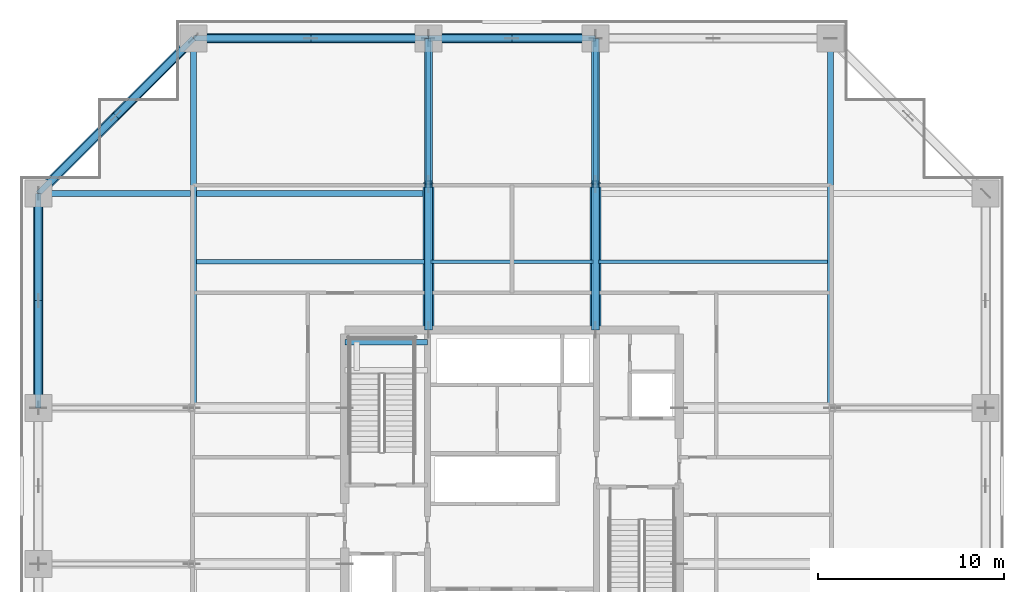
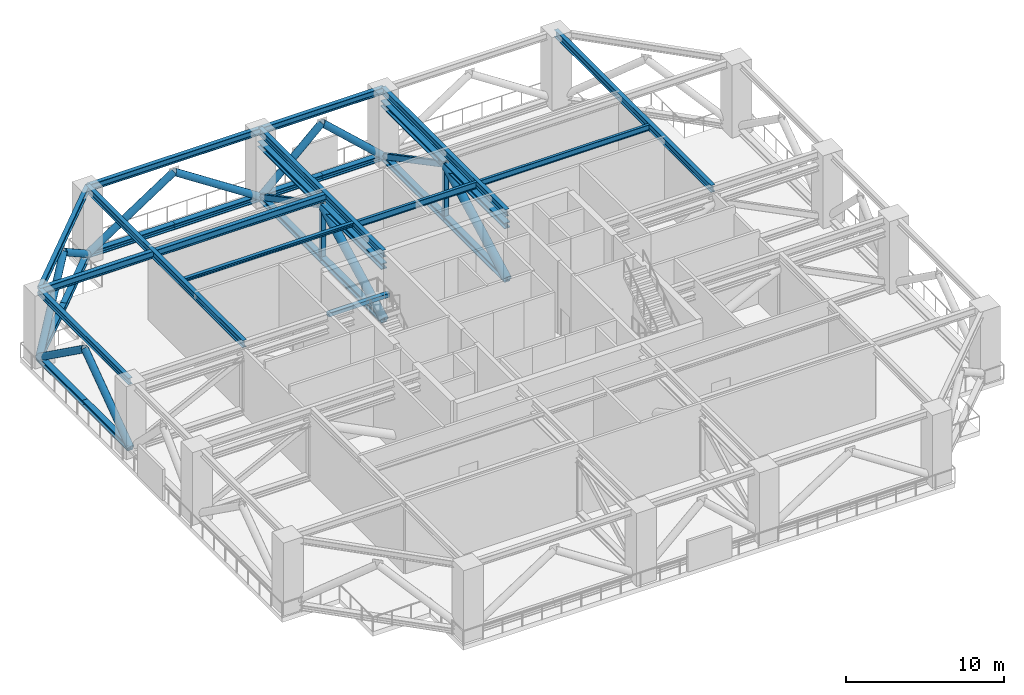
# One storey, part 4 of 21: 30 members, 13 beams.
"""IFC4 building model written with IfcOpenShell, lengths in metres."""

import ifcopenshell
import ifcopenshell.guid

model = None  # the IFC model being written
_history = None  # IfcOwnerHistory: only IFC2X3 demands one
_inside = {}  # id of a spatial element -> (the spatial element, [elements in it])
_under = {}  # id of a project, library or spatial element -> (it, [spatial elements below it])
_declared = {}  # id of a project -> (the project, [libraries it declares])
_typed = {}  # id of a type object -> (the type object, [elements of that type])
_made_of = {}  # id of a material, layer set ... -> (it, [elements and type objects made of it])


def new_model(schema):
    """Start an empty IFC model of exactly this schema.

    Asked for "IFC4X3", IfcOpenShell would pick the latest addendum, in which some entities
    have other attributes; the version numbers below select the first issue.
    IFC2X3 requires an IfcOwnerHistory on every rooted entity: one is made here for all.
    """
    global model, _history
    if schema == "IFC4X3":
        model = ifcopenshell.file(schema_version=(4, 3, 0, 0))
    else:
        model = ifcopenshell.file(schema=schema)
    _inside.clear()
    _under.clear()
    _declared.clear()
    _typed.clear()
    _made_of.clear()
    _history = None
    if model.schema == "IFC2X3":
        org = make("IfcOrganization", Name="unknown")
        user = make(
            "IfcPersonAndOrganization",
            ThePerson=make("IfcPerson", FamilyName="unknown"),
            TheOrganization=org,
        )
        app = make(
            "IfcApplication",
            ApplicationDeveloper=org,
            Version="unknown",
            ApplicationFullName="unknown",
            ApplicationIdentifier="unknown",
        )
        _history = make(
            "IfcOwnerHistory",
            OwningUser=user,
            OwningApplication=app,
            ChangeAction="ADDED",
            CreationDate=0,
        )
    return model


def make(cls, **values):
    """One entity of the class cls with the attributes given. An attribute that is None is left unset."""
    return model.create_entity(
        cls, **{name: value for name, value in values.items() if value is not None}
    )


def rooted(cls, **values):
    """An entity with a GlobalId (a new one), such as an element, a storey or a relation."""
    return make(cls, GlobalId=ifcopenshell.guid.new(), OwnerHistory=_history, **values)


def si_unit(unit_type, name, prefix=None):
    """IfcSIUnit, for example si_unit("LENGTHUNIT", "METRE", prefix="MILLI")."""
    return make("IfcSIUnit", UnitType=unit_type, Prefix=prefix, Name=name)


def assignment(units):
    """IfcUnitAssignment: the units of a project."""
    return None if units is None else make("IfcUnitAssignment", Units=units)


def point(xyz):
    """IfcCartesianPoint."""
    return None if xyz is None else make("IfcCartesianPoint", Coordinates=xyz)


def direction(xyz):
    """IfcDirection."""
    return None if xyz is None else make("IfcDirection", DirectionRatios=xyz)


def frame(location, z_axis=None, x_axis=None):
    """IfcAxis2Placement3D, a coordinate frame: its origin and axes. An axis left out is left unset."""
    return make(
        "IfcAxis2Placement3D",
        Location=point(location),
        Axis=direction(z_axis),
        RefDirection=direction(x_axis),
    )


def frame_2d(location, x_axis=None):
    """IfcAxis2Placement2D, a coordinate frame in the plane: its origin and x axis."""
    return make(
        "IfcAxis2Placement2D", Location=point(location), RefDirection=direction(x_axis)
    )


def origin():
    """The frame at (0, 0, 0) with its axes left unset."""
    return frame((0.0, 0.0, 0.0))


def origin_2d():
    """The frame at (0, 0) in the plane with its x axis left unset."""
    return frame_2d((0.0, 0.0))


def place(relative_to, where):
    """IfcLocalPlacement: puts the frame where relative to a parent placement (None: the world)."""
    return make(
        "IfcLocalPlacement", PlacementRelTo=relative_to, RelativePlacement=where
    )


def context(
    kind, dimensions, precision=None, world=None, true_north=None, identifier=None
):
    """IfcGeometricRepresentationContext, for example the 3D "Model" context."""
    return make(
        "IfcGeometricRepresentationContext",
        ContextIdentifier=identifier,
        ContextType=kind,
        CoordinateSpaceDimension=dimensions,
        Precision=precision,
        WorldCoordinateSystem=world,
        TrueNorth=true_north,
    )


def subcontext(parent, identifier, kind, view, scale=None):
    """IfcGeometricRepresentationSubContext, for example "Body" below "Model"."""
    return make(
        "IfcGeometricRepresentationSubContext",
        ContextIdentifier=identifier,
        ContextType=kind,
        ParentContext=parent,
        TargetScale=scale,
        TargetView=view,
    )


def project(units=None, contexts=None):
    """IfcProject with its units and contexts."""
    return rooted(
        "IfcProject",
        Name="project",
        RepresentationContexts=contexts,
        UnitsInContext=assignment(units),
    )


def spatial(cls, under=None, at=None, **own):
    """A site, building, storey or space (cls), placed at a placement, below another one or the project."""
    s = rooted(cls, ObjectPlacement=at, **own)
    if under is not None:
        _under.setdefault(under.id(), (under, []))[1].append(s)
    return s


def profile(cls, at=None, kind="AREA", **sizes):
    """A parametric profile (cls). Its sizes go by their IFC names, for example OverallWidth=200.0."""
    return make(cls, ProfileType=kind, Position=at, **sizes)


def rectangle(**sizes):
    """IfcRectangleProfileDef."""
    return profile("IfcRectangleProfileDef", **sizes)


def hollow_rectangle(**sizes):
    """IfcRectangleHollowProfileDef."""
    return profile("IfcRectangleHollowProfileDef", **sizes)


def hollow_circle(**sizes):
    """IfcCircleHollowProfileDef."""
    return profile("IfcCircleHollowProfileDef", **sizes)


def i_section(**sizes):
    """IfcIShapeProfileDef."""
    return profile("IfcIShapeProfileDef", **sizes)


def extrude(swept, where, along, depth):
    """IfcExtrudedAreaSolid: the profile swept, set in the frame where, extruded along a direction by depth."""
    return make(
        "IfcExtrudedAreaSolid",
        SweptArea=swept,
        Position=where,
        ExtrudedDirection=direction(along),
        Depth=depth,
    )


def shape(context_of_items, identifier, shape_type, items):
    """IfcShapeRepresentation: the items that make up one representation, for example the "Body"."""
    return make(
        "IfcShapeRepresentation",
        ContextOfItems=context_of_items,
        RepresentationIdentifier=identifier,
        RepresentationType=shape_type,
        Items=items,
    )


def source(mapping_origin, context_of_items, identifier, shape_type, items):
    """IfcRepresentationMap: a shape defined once, which mapped items show again and again."""
    return make(
        "IfcRepresentationMap",
        MappingOrigin=mapping_origin,
        MappedRepresentation=shape(context_of_items, identifier, shape_type, items),
    )


def transform(
    local_origin,
    x_axis=None,
    y_axis=None,
    z_axis=None,
    scale=None,
    scale2=None,
    scale3=None,
    uniform=True,
):
    """IfcCartesianTransformationOperator3D, or its non-uniform kind. x_axis, y_axis, z_axis: its Axis1, 2, 3."""
    if uniform:
        return make(
            "IfcCartesianTransformationOperator3D",
            Axis1=direction(x_axis),
            Axis2=direction(y_axis),
            LocalOrigin=point(local_origin),
            Scale=scale,
            Axis3=direction(z_axis),
        )
    return make(
        "IfcCartesianTransformationOperator3DnonUniform",
        Axis1=direction(x_axis),
        Axis2=direction(y_axis),
        LocalOrigin=point(local_origin),
        Scale=scale,
        Axis3=direction(z_axis),
        Scale2=scale2,
        Scale3=scale3,
    )


def mapped(mapping_source, mapping_target):
    """IfcMappedItem: shows the shape of a source again, moved by a transform."""
    return make(
        "IfcMappedItem", MappingSource=mapping_source, MappingTarget=mapping_target
    )


def material(Name=None, Category=None):
    """IfcMaterial."""
    return make("IfcMaterial", Name=Name, Category=Category)


def material_profile(
    of_material, cross_section, Name=None, Category=None, Priority=None
):
    """IfcMaterialProfile: a cross section and its material."""
    return make(
        "IfcMaterialProfile",
        Name=Name,
        Material=of_material,
        Profile=cross_section,
        Priority=Priority,
        Category=Category,
    )


def profile_set(profiles, Name=None, composite=None):
    """IfcMaterialProfileSet."""
    return make(
        "IfcMaterialProfileSet",
        Name=Name,
        MaterialProfiles=profiles,
        CompositeProfile=composite,
    )


def made_of(thing, what):
    """Note that an element or type object is made of a material, layer set ...; save() writes the relation."""
    if what is not None:
        _made_of.setdefault(what.id(), (what, []))[1].append(thing)
    return thing


def type_object(cls, material=None, **own):
    """A type object (cls), such as IfcWallType, which elements share."""
    return made_of(rooted(cls, **own), material)


def element(
    cls,
    number,
    at=None,
    inside=None,
    cuts=None,
    type_object=None,
    material=None,
    context=None,
    identifier="Body",
    shape_type=None,
    held_by="IfcProductDefinitionShape",
    body=None,
    shapes=None,
    **own,
):
    """One element of the class cls, such as IfcWall. Its Tag is "e" and its number.

    at: its placement. inside: the storey or other place that contains it. cuts: it is an
    opening in that element (IfcRelVoidsElement). A single representation is given by context,
    identifier, shape_type and body (its items); several are given by shapes. held_by: the class
    of the entity that holds the representations. save() writes the other relations.
    """
    e = rooted(cls, Tag="e%d" % number, ObjectPlacement=at, **own)
    if body is not None:
        shapes = [shape(context, identifier, shape_type, body)]
    if shapes is not None:
        e.Representation = make(held_by, Representations=shapes)
    if inside is not None:
        _inside.setdefault(inside.id(), (inside, []))[1].append(e)
    if cuts is not None:
        rooted(
            "IfcRelVoidsElement", RelatingBuildingElement=cuts, RelatedOpeningElement=e
        )
    if type_object is not None:
        _typed.setdefault(type_object.id(), (type_object, []))[1].append(e)
    return made_of(e, material)


def aggregate(whole, parts):
    """IfcRelAggregates: a whole, such as a stair, and the parts it consists of."""
    return rooted("IfcRelAggregates", RelatingObject=whole, RelatedObjects=parts)


def save(model, path):
    """Write the relations noted so far, then the file.

    IfcRelAggregates (storeys below a building ...), IfcRelContainedInSpatialStructure (elements
    in a storey), IfcRelDefinesByType, IfcRelAssociatesMaterial and IfcRelDeclares: one each for
    every whole, place, type object, material and project.
    """
    for whole, parts in _under.values():
        aggregate(whole, parts)
    for where, things in _inside.values():
        rooted(
            "IfcRelContainedInSpatialStructure",
            RelatedElements=things,
            RelatingStructure=where,
        )
    for kind, things in _typed.values():
        rooted("IfcRelDefinesByType", RelatedObjects=things, RelatingType=kind)
    for what, things in _made_of.values():
        rooted("IfcRelAssociatesMaterial", RelatedObjects=things, RelatingMaterial=what)
    for by, libraries in _declared.values():
        rooted("IfcRelDeclares", RelatingContext=by, RelatedDefinitions=libraries)
    model.write(path)


model = new_model("IFC4")

# Units and contexts
model_context = context("Model", 3, precision=1e-05, world=origin(), true_north=direction((0.0, 1.0)))
body_context = subcontext(model_context, "Body", "Model", "MODEL_VIEW")
ifc_project = project(units=[si_unit("LENGTHUNIT", "METRE"), si_unit("AREAUNIT", "SQUARE_METRE"), si_unit("VOLUMEUNIT", "CUBIC_METRE"), si_unit("PLANEANGLEUNIT", "RADIAN"), si_unit("MASSUNIT", "GRAM", prefix="KILO")], contexts=[model_context])

# Site, building, storey
site_placement = place(None, origin())
site = spatial("IfcSite", under=ifc_project, at=site_placement, CompositionType="ELEMENT")
building_placement = place(site_placement, origin())
building = spatial("IfcBuilding", under=site, at=building_placement, Name="Serunith Strait Residences", CompositionType="ELEMENT")
storey_placement = place(building_placement, frame((0.0, 0.0, 109.199951171875)))
storey = spatial("IfcBuildingStorey", under=building, at=storey_placement, Name="L27", CompositionType="ELEMENT", Elevation=109.199951171875)

# Beams
ifc_material_1 = material(Name="Steel S355J2", Category="steel")
ifc_material_profile_1 = material_profile(ifc_material_1, i_section(OverallWidth=0.300048828125, OverallDepth=0.550048828125, WebThickness=0.014892578125, FlangeThickness=0.029052734375, FilletRadius=0.027099609375, at=origin_2d()), Name="HEB 550")
ifc_profile_set_1 = profile_set([ifc_material_profile_1], Name="Steel S355J2")
beam_type_1 = type_object("IfcBeamType", Name="BM-HEB550", PredefinedType="BEAM", material=ifc_profile_set_1)
shared_shape_1 = source(origin(), body_context, "Body", "SweptSolid", [
    extrude(i_section(OverallWidth=0.300048828125, OverallDepth=0.550048828125, WebThickness=0.014892578125, FlangeThickness=0.029052734375, FilletRadius=0.027099609375, at=origin_2d()), origin(), (0.0, 0.0, 1.0), 15.699951171875),
])
for number, where, z_axis, x_axis, name in (
    (1, (27.89990234375, 33.60009765625, 5.362060546875), (0.0, 1.0, 0.0), (-1.0, 0.0, 0.0), "L27 Primary Floor Girder TC-N2"),
    (2, (36.89990234375, 33.60009765625, 5.362060546875), (0.0, 1.0, 0.0), (-1.0, 0.0, 0.0), "L27 Primary Floor Girder TC-N3"),
):
    element("IfcBeam", number, at=place(storey_placement, frame(where, z_axis=z_axis, x_axis=x_axis)), inside=storey, type_object=beam_type_1, Name=name, PredefinedType="BEAM", context=body_context, shape_type="MappedRepresentation", body=[
        mapped(shared_shape_1, transform((0.0, 0.0, 0.0), scale=1.0)),
    ])
shared_shape_2 = source(origin(), body_context, "Body", "SweptSolid", [
    extrude(i_section(OverallWidth=0.300048828125, OverallDepth=0.550048828125, WebThickness=0.014892578125, FlangeThickness=0.029052734375, FilletRadius=0.027099609375, at=origin_2d()), origin(), (0.0, 0.0, 1.0), 19.900146484375),
])
for number, where, z_axis, x_axis, name in (
    (3, (15.25, 29.39990234375, 5.362060546875), (0.0, 1.0, 0.0), (-1.0, 0.0, 0.0), "L27 Orthogonal Corner Girder TC-N1"),
    (4, (49.550048828125, 29.39990234375, 5.362060546875), (0.0, 1.0, 0.0), (-1.0, 0.0, 0.0), "L27 Orthogonal Corner Girder TC-N4"),
):
    element("IfcBeam", number, at=place(storey_placement, frame(where, z_axis=z_axis, x_axis=x_axis)), inside=storey, type_object=beam_type_1, Name=name, PredefinedType="BEAM", context=body_context, shape_type="MappedRepresentation", body=[
        mapped(shared_shape_2, transform((0.0, 0.0, 0.0), scale=1.0)),
    ])
shared_shape_3 = source(origin(), body_context, "Body", "SweptSolid", [
    extrude(i_section(OverallWidth=0.300048828125, OverallDepth=0.550048828125, WebThickness=0.014892578125, FlangeThickness=0.029052734375, FilletRadius=0.027099609375, at=origin_2d()), origin(), (0.0, 0.0, 1.0), 21.0),
])
beam_1_placement = place(storey_placement, frame((27.89990234375, 40.949951171875, 5.362060546875), z_axis=(-1.0, 0.0, 0.0), x_axis=(0.0, -1.0, 0.0)))
element("IfcBeam", 5, at=beam_1_placement, inside=storey, type_object=beam_type_1, Name="L27 Orthogonal Corner Girder TC-W4", PredefinedType="BEAM", context=body_context, shape_type="MappedRepresentation", body=[
    mapped(shared_shape_3, transform((0.0, 0.0, 0.0), scale=1.0)),
])
ifc_material_profile_2 = material_profile(ifc_material_1, i_section(OverallWidth=0.300048828125, OverallDepth=0.5, WebThickness=0.014404296875, FlangeThickness=0.028076171875, FilletRadius=0.027099609375, at=origin_2d()), Name="HEB 500")
ifc_profile_set_2 = profile_set([ifc_material_profile_2], Name="Steel S355J2")
beam_type_2 = type_object("IfcBeamType", Name="BM-HEB500", PredefinedType="BEAM", material=ifc_profile_set_2)
shared_shape_4 = source(origin(), body_context, "Body", "SweptSolid", [
    extrude(i_section(OverallWidth=0.300048828125, OverallDepth=0.5, WebThickness=0.014404296875, FlangeThickness=0.028076171875, FilletRadius=0.027099609375, at=origin_2d()), origin(), (0.0, 0.0, 1.0), 12.64990234375),
])
beam_2_placement = place(storey_placement, frame((27.89990234375, 49.300048828125, 5.386962890625), z_axis=(-1.0, 0.0, 0.0), x_axis=(0.0, -1.0, 0.0)))
element("IfcBeam", 6, at=beam_2_placement, inside=storey, type_object=beam_type_2, Name="L27 Perimeter Ring Beam 11", PredefinedType="BEAM", context=body_context, shape_type="MappedRepresentation", body=[
    mapped(shared_shape_4, transform((0.0, 0.0, 0.0), scale=1.0)),
])
shared_shape_5 = source(origin(), body_context, "Body", "SweptSolid", [
    extrude(i_section(OverallWidth=0.300048828125, OverallDepth=0.5, WebThickness=0.014404296875, FlangeThickness=0.028076171875, FilletRadius=0.027099609375, at=origin_2d()), origin(), (0.0, 0.0, 1.0), 9.0),
])
beam_3_placement = place(storey_placement, frame((36.89990234375, 49.300048828125, 5.386962890625), z_axis=(-1.0, 0.0, 0.0), x_axis=(0.0, -1.0, 0.0)))
element("IfcBeam", 7, at=beam_3_placement, inside=storey, type_object=beam_type_2, Name="L27 Perimeter Ring Beam 10", PredefinedType="BEAM", context=body_context, shape_type="MappedRepresentation", body=[
    mapped(shared_shape_5, transform((0.0, 0.0, 0.0), scale=1.0)),
])
shared_shape_6 = source(origin(), body_context, "Body", "SweptSolid", [
    extrude(i_section(OverallWidth=0.300048828125, OverallDepth=0.5, WebThickness=0.014404296875, FlangeThickness=0.028076171875, FilletRadius=0.027099609375, at=origin_2d()), origin(), (0.0, 0.0, 1.0), 11.550048828125),
])
beam_4_placement = place(storey_placement, frame((6.89990234375, 40.949951171875, 5.386962890625), z_axis=(0.0, -1.0, 0.0), x_axis=(1.0, 0.0, 0.0)))
element("IfcBeam", 8, at=beam_4_placement, inside=storey, type_object=beam_type_2, Name="L27 Perimeter Ring Beam 13", PredefinedType="BEAM", context=body_context, shape_type="MappedRepresentation", body=[
    mapped(shared_shape_6, transform((0.0, 0.0, 0.0), scale=1.0)),
])
shared_shape_7 = source(origin(), body_context, "Body", "SweptSolid", [
    extrude(i_section(OverallWidth=0.300048828125, OverallDepth=0.5, WebThickness=0.014404296875, FlangeThickness=0.028076171875, FilletRadius=0.027099609375, at=origin_2d()), origin(), (0.0, 0.0, 1.0), 11.808837890625),
])
beam_5_placement = place(storey_placement, frame((15.25, 49.300048828125, 5.386962890625), z_axis=(-0.707106781187, -0.707106781187, 0.0), x_axis=(0.707106781187, -0.707106781187, 0.0)))
element("IfcBeam", 9, at=beam_5_placement, inside=storey, type_object=beam_type_2, Name="L27 Perimeter Ring Beam 12", PredefinedType="BEAM", context=body_context, shape_type="MappedRepresentation", body=[
    mapped(shared_shape_7, transform((0.0, 0.0, 0.0), scale=1.0)),
])
ifc_material_profile_3 = material_profile(ifc_material_1, i_section(OverallWidth=0.260009765625, OverallDepth=0.260009765625, WebThickness=0.010009765625, FlangeThickness=0.017578125, FilletRadius=0.02392578125, at=origin_2d()), Name="HEB 260")
ifc_profile_set_3 = profile_set([ifc_material_profile_3], Name="Steel S355J2")
beam_type_3 = type_object("IfcBeamType", Name="BM-HEB260", PredefinedType="JOIST", material=ifc_profile_set_3)
shared_shape_8 = source(origin(), body_context, "Body", "SweptSolid", [
    extrude(i_section(OverallWidth=0.260009765625, OverallDepth=0.260009765625, WebThickness=0.010009765625, FlangeThickness=0.017578125, FilletRadius=0.02392578125, at=origin_2d()), origin(), (0.0, 0.0, 1.0), 12.35009765625),
])
beam_6_placement = place(storey_placement, frame((15.39990234375, 37.27490234375, 5.507080078125), z_axis=(1.0, 0.0, 0.0), x_axis=(0.0, 1.0, 0.0)))
element("IfcBeam", 10, at=beam_6_placement, inside=storey, type_object=beam_type_3, Name="L27 Composite Floor Joist 04", PredefinedType="JOIST", context=body_context, shape_type="MappedRepresentation", body=[
    mapped(shared_shape_8, transform((0.0, 0.0, 0.0), scale=1.0)),
])
ifc_material_profile_4 = material_profile(ifc_material_1, i_section(OverallWidth=0.199951171875, OverallDepth=0.5, WebThickness=0.01025390625, FlangeThickness=0.01611328125, FilletRadius=0.02099609375, at=origin_2d()), Name="IPE 500")
ifc_profile_set_4 = profile_set([ifc_material_profile_4], Name="Steel S355J2")
beam_type_4 = type_object("IfcBeamType", Name="BM-IPE500", PredefinedType="JOIST", material=ifc_profile_set_4)
shared_shape_9 = source(origin(), body_context, "Body", "SweptSolid", [
    extrude(i_section(OverallWidth=0.199951171875, OverallDepth=0.5, WebThickness=0.01025390625, FlangeThickness=0.01611328125, FilletRadius=0.02099609375, at=origin_2d()), origin(), (0.0, 0.0, 1.0), 8.699951171875),
])
beam_7_placement = place(storey_placement, frame((28.050048828125, 37.27490234375, 5.386962890625), z_axis=(1.0, 0.0, 0.0), x_axis=(0.0, 1.0, 0.0)))
element("IfcBeam", 11, at=beam_7_placement, inside=storey, type_object=beam_type_4, Name="L27 Composite Floor Joist 05", PredefinedType="JOIST", context=body_context, shape_type="MappedRepresentation", body=[
    mapped(shared_shape_9, transform((0.0, 0.0, 0.0), scale=1.0)),
])
ifc_material_profile_5 = material_profile(ifc_material_1, i_section(OverallWidth=0.18994140625, OverallDepth=0.449951171875, WebThickness=0.009521484375, FlangeThickness=0.0146484375, FilletRadius=0.02099609375, at=origin_2d()), Name="IPE 450")
ifc_profile_set_5 = profile_set([ifc_material_profile_5], Name="Steel S355J2")
beam_type_5 = type_object("IfcBeamType", Name="BM-IPE450", PredefinedType="JOIST", material=ifc_profile_set_5)
shared_shape_10 = source(origin(), body_context, "Body", "SweptSolid", [
    extrude(i_section(OverallWidth=0.18994140625, OverallDepth=0.449951171875, WebThickness=0.009521484375, FlangeThickness=0.0146484375, FilletRadius=0.02099609375, at=origin_2d()), origin(), (0.0, 0.0, 1.0), 12.349853515625),
])
beam_8_placement = place(storey_placement, frame((37.050048828125, 37.27490234375, 5.412109375), z_axis=(1.0, 0.0, 0.0), x_axis=(0.0, 1.0, 0.0)))
element("IfcBeam", 12, at=beam_8_placement, inside=storey, type_object=beam_type_5, Name="L27 Composite Floor Joist 06", PredefinedType="JOIST", context=body_context, shape_type="MappedRepresentation", body=[
    mapped(shared_shape_10, transform((0.0, 0.0, 0.0), scale=1.0)),
])

# Members
ifc_material_2 = material(Name="Steel S460M", Category="steel")
ifc_material_profile_6 = material_profile(ifc_material_2, i_section(OverallWidth=0.41796875, OverallDepth=0.455078125, WebThickness=0.0419921875, FlangeThickness=0.067626953125, FilletRadius=0.014892578125, at=origin_2d()), Name="HD 400x551")
ifc_profile_set_6 = profile_set([ifc_material_profile_6], Name="Steel S460M")
member_type_1 = type_object("IfcMemberType", Name="MBR-CHORD-HD551", PredefinedType="CHORD", material=ifc_profile_set_6)
shared_shape_11 = source(origin(), body_context, "Body", "SweptSolid", [
    extrude(i_section(OverallWidth=0.41796875, OverallDepth=0.455078125, WebThickness=0.0419921875, FlangeThickness=0.067626953125, FilletRadius=0.014892578125, at=origin_2d()), origin(), (0.0, 0.0, 1.0), 7.85009765625),
])
for number, where, z_axis, x_axis, name in (
    (13, (27.89990234375, 41.449951171875, 0.25), (0.0, 1.0, 0.0), (-1.0, 0.0, 0.0), "L27 Outrigger Arm 3 Bottom Chord 2"),
    (14, (27.89990234375, 41.449951171875, 4.39013671875), (0.0, 1.0, 0.0), (-1.0, 0.0, 0.0), "L27 Outrigger Arm 3 Top Chord 2"),
    (15, (36.89990234375, 41.449951171875, 0.25), (0.0, 1.0, 0.0), (-1.0, 0.0, 0.0), "L27 Outrigger Arm 4 Bottom Chord 2"),
    (16, (36.89990234375, 41.449951171875, 4.39013671875), (0.0, 1.0, 0.0), (-1.0, 0.0, 0.0), "L27 Outrigger Arm 4 Top Chord 2"),
):
    element("IfcMember", number, at=place(storey_placement, frame(where, z_axis=z_axis, x_axis=x_axis)), inside=storey, type_object=member_type_1, Name=name, PredefinedType="CHORD", context=body_context, shape_type="MappedRepresentation", body=[
        mapped(shared_shape_11, transform((0.0, 0.0, 0.0), scale=1.0)),
    ])
shared_shape_12 = source(origin(), body_context, "Body", "SweptSolid", [
    extrude(i_section(OverallWidth=0.41796875, OverallDepth=0.455078125, WebThickness=0.0419921875, FlangeThickness=0.067626953125, FilletRadius=0.014892578125, at=origin_2d()), origin(), (0.0, 0.0, 1.0), 7.849853515625),
])
for number, where, z_axis, x_axis, name in (
    (17, (27.89990234375, 33.60009765625, 0.25), (0.0, 1.0, 0.0), (-1.0, 0.0, 0.0), "L27 Outrigger Arm 3 Bottom Chord 1"),
    (18, (27.89990234375, 33.60009765625, 4.39013671875), (0.0, 1.0, 0.0), (-1.0, 0.0, 0.0), "L27 Outrigger Arm 3 Top Chord 1"),
    (19, (36.89990234375, 33.60009765625, 0.25), (0.0, 1.0, 0.0), (-1.0, 0.0, 0.0), "L27 Outrigger Arm 4 Bottom Chord 1"),
    (20, (36.89990234375, 33.60009765625, 4.39013671875), (0.0, 1.0, 0.0), (-1.0, 0.0, 0.0), "L27 Outrigger Arm 4 Top Chord 1"),
):
    element("IfcMember", number, at=place(storey_placement, frame(where, z_axis=z_axis, x_axis=x_axis)), inside=storey, type_object=member_type_1, Name=name, PredefinedType="CHORD", context=body_context, shape_type="MappedRepresentation", body=[
        mapped(shared_shape_12, transform((0.0, 0.0, 0.0), scale=1.0)),
    ])
ifc_material_profile_7 = material_profile(ifc_material_2, hollow_rectangle(XDim=0.35009765625, YDim=0.35009765625, WallThickness=0.01611328125, InnerFilletRadius=0.02392578125, OuterFilletRadius=0.0400390625, at=origin_2d()), Name="SHS 350x350x16")
ifc_profile_set_7 = profile_set([ifc_material_profile_7], Name="Steel S460M")
member_type_2 = type_object("IfcMemberType", Name="MBR-STRUT-SHS350", PredefinedType="STRUT", material=ifc_profile_set_7)
shared_shape_13 = source(origin(), body_context, "Body", "SweptSolid", [
    extrude(hollow_rectangle(XDim=0.35009765625, YDim=0.35009765625, WallThickness=0.01611328125, InnerFilletRadius=0.02392578125, OuterFilletRadius=0.0400390625, at=origin_2d()), origin(), (0.0, 0.0, 1.0), 4.14013671875),
])
for number, where, z_axis, x_axis, name in (
    (21, (27.89990234375, 41.449951171875, 0.25), (0.0, 0.0, 1.0), (1.0, 0.0, 0.0), "L27 Outrigger Arm 3 Mid Post"),
    (22, (36.89990234375, 41.449951171875, 0.25), (0.0, 0.0, 1.0), (1.0, 0.0, 0.0), "L27 Outrigger Arm 4 Mid Post"),
):
    element("IfcMember", number, at=place(storey_placement, frame(where, z_axis=z_axis, x_axis=x_axis)), inside=storey, type_object=member_type_2, Name=name, PredefinedType="STRUT", context=body_context, shape_type="MappedRepresentation", body=[
        mapped(shared_shape_13, transform((0.0, 0.0, 0.0), scale=1.0)),
    ])
ifc_material_profile_8 = material_profile(ifc_material_2, hollow_circle(Radius=0.304931640625, WallThickness=0.02490234375, at=origin_2d()), Name="CHS 610x25")
ifc_profile_set_8 = profile_set([ifc_material_profile_8], Name="Steel S460M")
member_type_3 = type_object("IfcMemberType", Name="MBR-DIAG-CHS610", PredefinedType="BRACE", material=ifc_profile_set_8)
shared_shape_14 = source(origin(), body_context, "Body", "SweptSolid", [
    extrude(hollow_circle(Radius=0.304931640625, WallThickness=0.02490234375, at=origin_2d()), origin(), (0.0, 0.0, 1.0), 8.874755859375),
])
for number, where, z_axis, x_axis, name in (
    (23, (27.89990234375, 33.60009765625, 0.25), (0.0, 0.884516886434, 0.466508175291), (-1.0, 0.0, 0.0), "L27 Outrigger Arm 3 Inner Diagonal"),
    (24, (36.89990234375, 33.60009765625, 0.25), (0.0, 0.884516886434, 0.466508175291), (-1.0, 0.0, 0.0), "L27 Outrigger Arm 4 Inner Diagonal"),
):
    element("IfcMember", number, at=place(storey_placement, frame(where, z_axis=z_axis, x_axis=x_axis)), inside=storey, type_object=member_type_3, Name=name, PredefinedType="BRACE", context=body_context, shape_type="MappedRepresentation", body=[
        mapped(shared_shape_14, transform((0.0, 0.0, 0.0), scale=1.0)),
    ])
ifc_material_profile_9 = material_profile(ifc_material_2, hollow_rectangle(XDim=0.25, YDim=0.449951171875, WallThickness=0.01611328125, InnerFilletRadius=0.02392578125, OuterFilletRadius=0.0400390625, at=origin_2d()), Name="RHS 450x250x16")
ifc_profile_set_9 = profile_set([ifc_material_profile_9], Name="Steel S460M")
member_type_4 = type_object("IfcMemberType", Name="MBR-BRACE-RHS450", PredefinedType="BRACE", material=ifc_profile_set_9)
shared_shape_15 = source(origin(), body_context, "Body", "SweptSolid", [
    extrude(hollow_rectangle(XDim=0.25, YDim=0.449951171875, WallThickness=0.01611328125, InnerFilletRadius=0.02392578125, OuterFilletRadius=0.0400390625, at=origin_2d()), origin(), (0.0, 0.0, 1.0), 8.875),
])
for number, where, z_axis, x_axis, name in (
    (25, (27.89990234375, 41.449951171875, 4.39013671875), (0.0, 0.884522873131, -0.466496824114), (-1.0, 0.0, 0.0), "L27 Outrigger Arm 3 Outer Diagonal"),
    (26, (36.89990234375, 41.449951171875, 4.39013671875), (0.0, 0.884522873131, -0.466496824114), (-1.0, 0.0, 0.0), "L27 Outrigger Arm 4 Outer Diagonal"),
):
    element("IfcMember", number, at=place(storey_placement, frame(where, z_axis=z_axis, x_axis=x_axis)), inside=storey, type_object=member_type_4, Name=name, PredefinedType="BRACE", context=body_context, shape_type="MappedRepresentation", body=[
        mapped(shared_shape_15, transform((0.0, 0.0, 0.0), scale=1.0)),
    ])
ifc_material_profile_10 = material_profile(ifc_material_2, i_section(OverallWidth=0.406005859375, OverallDepth=0.416015625, WebThickness=0.02978515625, FlangeThickness=0.048095703125, FilletRadius=0.014892578125, at=origin_2d()), Name="HD 400x382")
ifc_profile_set_10 = profile_set([ifc_material_profile_10], Name="Steel S460M")
member_type_5 = type_object("IfcMemberType", Name="MBR-CHORD-HD382", PredefinedType="CHORD", material=ifc_profile_set_10)
shared_shape_16 = source(origin(), body_context, "Body", "SweptSolid", [
    extrude(i_section(OverallWidth=0.406005859375, OverallDepth=0.416015625, WebThickness=0.02978515625, FlangeThickness=0.048095703125, FilletRadius=0.014892578125, at=origin_2d()), origin(), (0.0, 0.0, 1.0), 6.324951171875),
])
for number, where, z_axis, x_axis, name in (
    (27, (27.89990234375, 49.300048828125, 0.25), (-1.0, 0.0, 0.0), (0.0, -1.0, 0.0), "L27 Belt Truss Bay 11 Chord A"),
    (28, (21.574951171875, 49.300048828125, 0.25), (-1.0, 0.0, 0.0), (0.0, -1.0, 0.0), "L27 Belt Truss Bay 11 Chord B"),
):
    element("IfcMember", number, at=place(storey_placement, frame(where, z_axis=z_axis, x_axis=x_axis)), inside=storey, type_object=member_type_5, Name=name, PredefinedType="CHORD", context=body_context, shape_type="MappedRepresentation", body=[
        mapped(shared_shape_16, transform((0.0, 0.0, 0.0), scale=1.0)),
    ])
ifc_material_profile_11 = material_profile(ifc_material_2, hollow_circle(Radius=0.25390625, WallThickness=0.02001953125, at=origin_2d()), Name="CHS 508x20")
ifc_profile_set_11 = profile_set([ifc_material_profile_11], Name="Steel S460M")
member_type_6 = type_object("IfcMemberType", Name="MBR-DIAG-CHS508", PredefinedType="BRACE", material=ifc_profile_set_11)
shared_shape_17 = source(origin(), body_context, "Body", "SweptSolid", [
    extrude(hollow_circle(Radius=0.25390625, WallThickness=0.02001953125, at=origin_2d()), origin(), (0.0, 0.0, 1.0), 7.5595703125),
])
for number, where, z_axis, x_axis, name in (
    (29, (27.89990234375, 49.300048828125, 0.25), (-0.836691292063, 0.0, 0.547674795646), (0.0, -1.0, 0.0), "L27 Belt Truss Bay 11 Diagonal 1"),
    (30, (15.25, 49.300048828125, 0.25), (0.836691292063, 0.0, 0.547674795646), (0.0, 1.0, 0.0), "L27 Belt Truss Bay 11 Diagonal 2"),
):
    element("IfcMember", number, at=place(storey_placement, frame(where, z_axis=z_axis, x_axis=x_axis)), inside=storey, type_object=member_type_6, Name=name, PredefinedType="BRACE", context=body_context, shape_type="MappedRepresentation", body=[
        mapped(shared_shape_17, transform((0.0, 0.0, 0.0), scale=1.0)),
    ])
shared_shape_18 = source(origin(), body_context, "Body", "SweptSolid", [
    extrude(i_section(OverallWidth=0.406005859375, OverallDepth=0.416015625, WebThickness=0.02978515625, FlangeThickness=0.048095703125, FilletRadius=0.014892578125, at=origin_2d()), origin(), (0.0, 0.0, 1.0), 4.5),
])
for number, where, z_axis, x_axis, name in (
    (31, (36.89990234375, 49.300048828125, 0.25), (-1.0, 0.0, 0.0), (0.0, -1.0, 0.0), "L27 Belt Truss Bay 10 Chord A"),
    (32, (32.39990234375, 49.300048828125, 0.25), (-1.0, 0.0, 0.0), (0.0, -1.0, 0.0), "L27 Belt Truss Bay 10 Chord B"),
):
    element("IfcMember", number, at=place(storey_placement, frame(where, z_axis=z_axis, x_axis=x_axis)), inside=storey, type_object=member_type_5, Name=name, PredefinedType="CHORD", context=body_context, shape_type="MappedRepresentation", body=[
        mapped(shared_shape_18, transform((0.0, 0.0, 0.0), scale=1.0)),
    ])
shared_shape_19 = source(origin(), body_context, "Body", "SweptSolid", [
    extrude(hollow_circle(Radius=0.25390625, WallThickness=0.02001953125, at=origin_2d()), origin(), (0.0, 0.0, 1.0), 6.11474609375),
])
for number, where, z_axis, x_axis, name in (
    (33, (36.89990234375, 49.300048828125, 0.25), (-0.735919871074, 0.0, 0.677068640064), (0.0, -1.0, 0.0), "L27 Belt Truss Bay 10 Diagonal 1"),
    (34, (27.89990234375, 49.300048828125, 0.25), (0.735919871074, 0.0, 0.677068640064), (0.0, 1.0, 0.0), "L27 Belt Truss Bay 10 Diagonal 2"),
):
    element("IfcMember", number, at=place(storey_placement, frame(where, z_axis=z_axis, x_axis=x_axis)), inside=storey, type_object=member_type_6, Name=name, PredefinedType="BRACE", context=body_context, shape_type="MappedRepresentation", body=[
        mapped(shared_shape_19, transform((0.0, 0.0, 0.0), scale=1.0)),
    ])
shared_shape_20 = source(origin(), body_context, "Body", "SweptSolid", [
    extrude(i_section(OverallWidth=0.406005859375, OverallDepth=0.416015625, WebThickness=0.02978515625, FlangeThickness=0.048095703125, FilletRadius=0.014892578125, at=origin_2d()), origin(), (0.0, 0.0, 1.0), 5.904296875),
])
for number, where, z_axis, x_axis, name in (
    (35, (15.25, 49.300048828125, 0.25), (-0.707106781187, -0.707106781187, 0.0), (0.707106781187, -0.707106781187, 0.0), "L27 Belt Truss Bay 12 Chord A"),
    (36, (11.074951171875, 45.125, 0.25), (-0.707106781187, -0.707106781187, 0.0), (0.707106781187, -0.707106781187, 0.0), "L27 Belt Truss Bay 12 Chord B"),
):
    element("IfcMember", number, at=place(storey_placement, frame(where, z_axis=z_axis, x_axis=x_axis)), inside=storey, type_object=member_type_5, Name=name, PredefinedType="CHORD", context=body_context, shape_type="MappedRepresentation", body=[
        mapped(shared_shape_20, transform((0.0, 0.0, 0.0), scale=1.0)),
    ])
shared_shape_21 = source(origin(), body_context, "Body", "SweptSolid", [
    extrude(hollow_circle(Radius=0.25390625, WallThickness=0.02001953125, at=origin_2d()), origin(), (0.0, 0.0, 1.0), 7.211181640625),
])
for number, where, z_axis, x_axis, name in (
    (37, (15.25, 49.300048828125, 0.25), (-0.578959527894, -0.578959527894, 0.574118219638), (0.707106781187, -0.707106781187, 0.0), "L27 Belt Truss Bay 12 Diagonal 1"),
    (38, (6.89990234375, 40.949951171875, 0.25), (0.578959527894, 0.578959527894, 0.574118219638), (-0.707106781187, 0.707106781187, 0.0), "L27 Belt Truss Bay 12 Diagonal 2"),
):
    element("IfcMember", number, at=place(storey_placement, frame(where, z_axis=z_axis, x_axis=x_axis)), inside=storey, type_object=member_type_6, Name=name, PredefinedType="BRACE", context=body_context, shape_type="MappedRepresentation", body=[
        mapped(shared_shape_21, transform((0.0, 0.0, 0.0), scale=1.0)),
    ])
shared_shape_22 = source(origin(), body_context, "Body", "SweptSolid", [
    extrude(i_section(OverallWidth=0.406005859375, OverallDepth=0.416015625, WebThickness=0.02978515625, FlangeThickness=0.048095703125, FilletRadius=0.014892578125, at=origin_2d()), origin(), (0.0, 0.0, 1.0), 5.775146484375),
])
member_1_placement = place(storey_placement, frame((6.89990234375, 35.175048828125, 0.25), z_axis=(0.0, -1.0, 0.0), x_axis=(1.0, 0.0, 0.0)))
element("IfcMember", 39, at=member_1_placement, inside=storey, type_object=member_type_5, Name="L27 Belt Truss Bay 13 Chord B", PredefinedType="CHORD", context=body_context, shape_type="MappedRepresentation", body=[
    mapped(shared_shape_22, transform((0.0, 0.0, 0.0), scale=1.0)),
])
shared_shape_23 = source(origin(), body_context, "Body", "SweptSolid", [
    extrude(i_section(OverallWidth=0.406005859375, OverallDepth=0.416015625, WebThickness=0.02978515625, FlangeThickness=0.048095703125, FilletRadius=0.014892578125, at=origin_2d()), origin(), (0.0, 0.0, 1.0), 5.77490234375),
])
member_2_placement = place(storey_placement, frame((6.89990234375, 40.949951171875, 0.25), z_axis=(0.0, -1.0, 0.0), x_axis=(1.0, 0.0, 0.0)))
element("IfcMember", 40, at=member_2_placement, inside=storey, type_object=member_type_5, Name="L27 Belt Truss Bay 13 Chord A", PredefinedType="CHORD", context=body_context, shape_type="MappedRepresentation", body=[
    mapped(shared_shape_23, transform((0.0, 0.0, 0.0), scale=1.0)),
])
shared_shape_24 = source(origin(), body_context, "Body", "SweptSolid", [
    extrude(hollow_circle(Radius=0.25390625, WallThickness=0.02001953125, at=origin_2d()), origin(), (0.0, 0.0, 1.0), 7.10595703125),
])
member_3_placement = place(storey_placement, frame((6.89990234375, 29.39990234375, 0.25), z_axis=(0.0, 0.812731713217, 0.582638105801), x_axis=(-1.0, 0.0, 0.0)))
element("IfcMember", 41, at=member_3_placement, inside=storey, type_object=member_type_6, Name="L27 Belt Truss Bay 13 Diagonal 2", PredefinedType="BRACE", context=body_context, shape_type="MappedRepresentation", body=[
    mapped(shared_shape_24, transform((0.0, 0.0, 0.0), scale=1.0)),
])
shared_shape_25 = source(origin(), body_context, "Body", "SweptSolid", [
    extrude(hollow_circle(Radius=0.25390625, WallThickness=0.02001953125, at=origin_2d()), origin(), (0.0, 0.0, 1.0), 7.105712890625),
])
member_4_placement = place(storey_placement, frame((6.89990234375, 40.949951171875, 0.25), z_axis=(0.0, -0.812720049413, 0.582654375494), x_axis=(1.0, 0.0, 0.0)))
element("IfcMember", 42, at=member_4_placement, inside=storey, type_object=member_type_6, Name="L27 Belt Truss Bay 13 Diagonal 1", PredefinedType="BRACE", context=body_context, shape_type="MappedRepresentation", body=[
    mapped(shared_shape_25, transform((0.0, 0.0, 0.0), scale=1.0)),
])

# Beam
ifc_material_3 = material(Name="Concrete C60/75", Category="concrete")
ifc_material_profile_12 = material_profile(ifc_material_3, rectangle(XDim=0.300048828125, YDim=0.300048828125, at=origin_2d()), Name="RC 300x300")
ifc_profile_set_12 = profile_set([ifc_material_profile_12], Name="Concrete C60/75")
beam_type_6 = type_object("IfcBeamType", Name="BM-LAND-300x300", PredefinedType="BEAM", material=ifc_profile_set_12)
shared_shape_26 = source(origin(), body_context, "Body", "SweptSolid", [
    extrude(rectangle(XDim=0.300048828125, YDim=0.300048828125, at=origin_2d()), origin(), (0.0, 0.0, 1.0), 4.4501953125),
])
beam_9_placement = place(storey_placement, frame((23.39990234375, 32.949951171875, 2.650146484375), z_axis=(1.0, 0.0, 0.0), x_axis=(0.0, 1.0, 0.0)))
element("IfcBeam", 43, at=beam_9_placement, inside=storey, type_object=beam_type_6, Name="L27 ST-1 Landing Support Beam 2", PredefinedType="BEAM", context=body_context, shape_type="MappedRepresentation", body=[
    mapped(shared_shape_26, transform((0.0, 0.0, 0.0), scale=1.0)),
])

save(model, "model.ifc")
